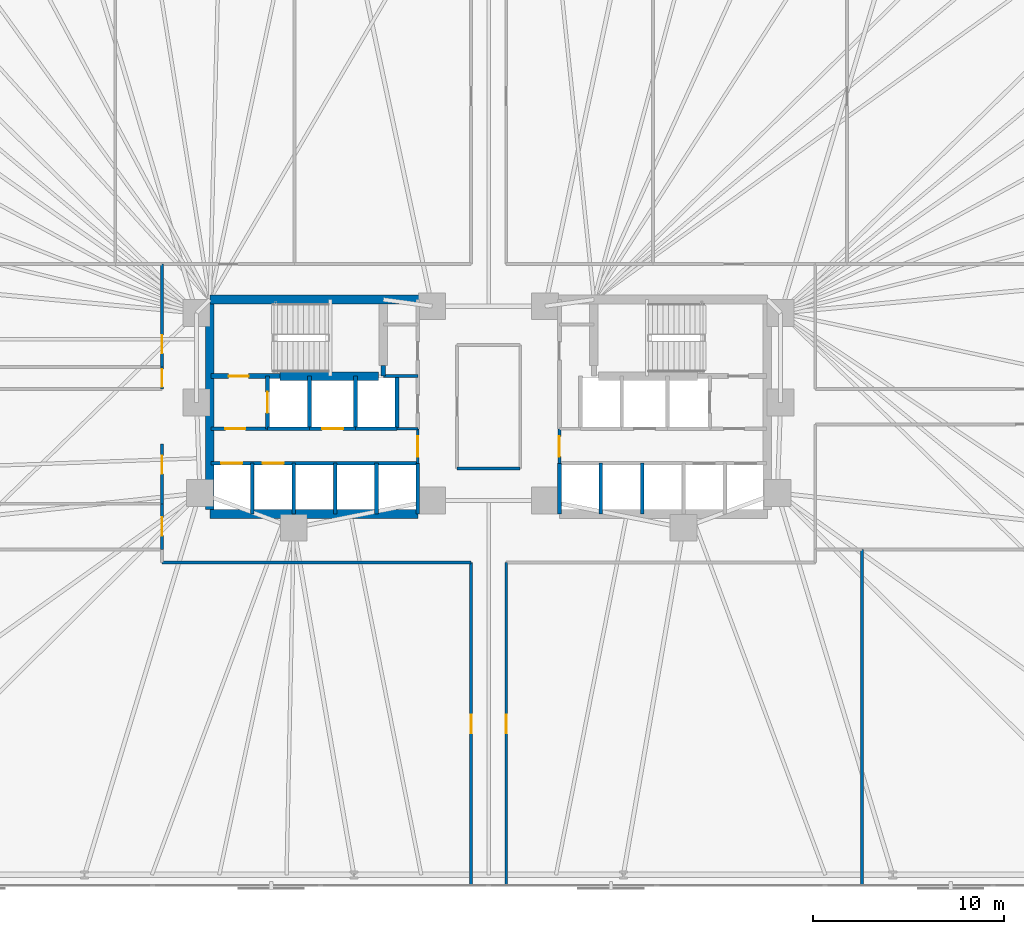
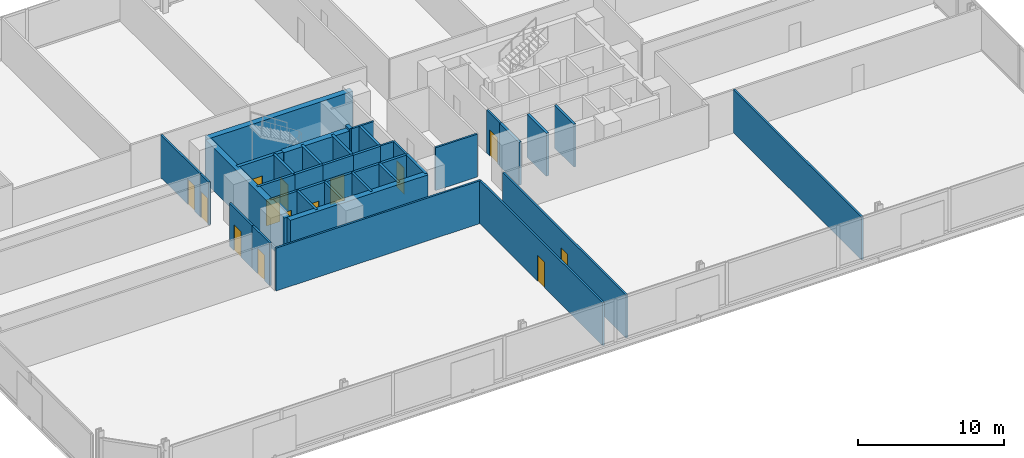
# One storey, part 12 of 16: 36 walls, 14 doors, 14 openings.
"""IFC4 building model written with IfcOpenShell, lengths in metres."""

from ifc_helpers import new_model, si_unit, direction, frame, frame_2d, origin, place, context, subcontext, project, spatial, rectangle, extrude, material, layer, layer_set, type_object, element, fill, save


model = new_model("IFC4")

# Units and contexts
model_context = context("Model", 3, precision=1e-05, world=origin(), true_north=direction((0.0, 1.0)))
body_context = subcontext(model_context, "Body", "Model", "MODEL_VIEW")
ifc_project = project(units=[si_unit("LENGTHUNIT", "METRE"), si_unit("AREAUNIT", "SQUARE_METRE"), si_unit("VOLUMEUNIT", "CUBIC_METRE"), si_unit("PLANEANGLEUNIT", "RADIAN"), si_unit("MASSUNIT", "GRAM", prefix="KILO")], contexts=[model_context])

# Site, building, storey
site_placement = place(None, origin())
site = spatial("IfcSite", under=ifc_project, at=site_placement, CompositionType="ELEMENT")
building_placement = place(site_placement, origin())
building = spatial("IfcBuilding", under=site, at=building_placement, Name="Menara Jurai Vektor", CompositionType="ELEMENT")
storey_placement = place(building_placement, frame((0.0, 0.0, 59.800048828125)))
storey = spatial("IfcBuildingStorey", under=building, at=storey_placement, Name="L14", CompositionType="ELEMENT", Elevation=59.800048828125)

# Wall, opening, door
ifc_material_1 = material(Name="Concrete C40/50", Category="concrete")
ifc_layer_1 = layer(ifc_material_1, 0.25)
ifc_layer_set_1 = layer_set([ifc_layer_1], Name="Concrete C40/50")
wall_type_1 = type_object("IfcWallType", Name="INT-WALL-CORE-250", PredefinedType="STANDARD", material=ifc_layer_set_1)
wall_1_placement = place(storey_placement, frame((-14.5, 1.60009765625, 0.0), z_axis=(0.0, 0.0, 1.0), x_axis=(1.0, 0.0, 0.0)))
wall_1 = element("IfcWall", 1, at=wall_1_placement, inside=storey, type_object=wall_type_1, Name="Interior Wall IW-250 L14", PredefinedType="STANDARD", context=body_context, shape_type="SweptSolid", body=[
    extrude(rectangle(XDim=3.60009765625, YDim=0.25, at=frame_2d((1.800048828125, 0.0))), origin(), (0.0, 0.0, 1.0), 3.574951171875),
])
opening_1_placement = place(wall_1_placement, frame((0.919921875, 0.0, 0.0)))
opening_1 = element("IfcOpeningElement", 2, at=opening_1_placement, cuts=wall_1, Name="Opening D-L14-ST1", PredefinedType="OPENING", context=body_context, shape_type="SweptSolid", body=[
    extrude(rectangle(XDim=1.050048828125, YDim=2.14990234375, at=frame_2d((0.52490234375, 1.074951171875))), frame((0.0, 0.135009765625, 0.0), z_axis=(0.0, -1.0, 0.0), x_axis=(1.0, 0.0, 0.0)), (0.0, 0.0, 1.0), 0.27001953125),
])
ifc_material_2 = material(Name="Fire-Rated Steel Door", Category="steel")
door_type_1 = type_object("IfcDoorType", Name="DR-STAIR-1050", OperationType="NOTDEFINED", PredefinedType="DOOR", material=ifc_material_2)
door_1_placement = place(opening_1_placement, origin())
door_1 = element("IfcDoor", 3, at=door_1_placement, inside=storey, type_object=door_type_1, Name="Exit Stair ST1 Door L14", OperationType="SINGLE_SWING_RIGHT", OverallHeight=2.14990234375, OverallWidth=1.050048828125, PredefinedType="DOOR", context=body_context, shape_type="SweptSolid", body=[
    extrude(rectangle(XDim=1.050048828125, YDim=2.14990234375, at=frame_2d((0.52490234375, 1.074951171875))), frame((0.0, 0.02490234375, 0.0), z_axis=(0.0, -1.0, 0.0), x_axis=(1.0, 0.0, 0.0)), (0.0, 0.0, 1.0), 0.050048828125),
])
fill(opening_1, door_1)

# Wall
wall_2_placement = place(storey_placement, frame((-5.5, 1.60009765625, 0.0), z_axis=(0.0, 0.0, 1.0), x_axis=(0.0, 1.0, 0.0)))
element("IfcWall", 4, at=wall_2_placement, inside=storey, type_object=wall_type_1, Name="Interior Wall IW-250 L14", PredefinedType="STANDARD", context=body_context, shape_type="SweptSolid", body=[
    extrude(rectangle(XDim=0.5498046875, YDim=0.25, at=frame_2d((0.27490234375, 0.0))), origin(), (0.0, 0.0, 1.0), 3.574951171875),
])

# Wall, opening, door
wall_3_placement = place(storey_placement, frame((-11.550048828125, -1.14990234375, 0.0), z_axis=(0.0, 0.0, 1.0), x_axis=(0.0, 1.0, 0.0)))
wall_3 = element("IfcWall", 5, at=wall_3_placement, inside=storey, type_object=wall_type_1, Name="Interior Wall IW-250 L14", PredefinedType="STANDARD", context=body_context, shape_type="SweptSolid", body=[
    extrude(rectangle(XDim=2.75, YDim=0.199951171875, at=frame_2d((1.375, 0.0))), origin(), (0.0, 0.0, 1.0), 3.574951171875),
])
opening_2_placement = place(wall_3_placement, frame((0.824951171875, 0.0, 0.0)))
opening_2 = element("IfcOpeningElement", 6, at=opening_2_placement, cuts=wall_3, Name="Opening LD-L14-FL1", PredefinedType="OPENING", context=body_context, shape_type="SweptSolid", body=[
    extrude(rectangle(XDim=1.10009765625, YDim=2.14990234375, at=frame_2d((0.550048828125, 1.074951171875))), frame((0.0, 0.10986328125, 0.0), z_axis=(0.0, -1.0, 0.0), x_axis=(1.0, 0.0, 0.0)), (0.0, 0.0, 1.0), 0.219970703125),
])
ifc_material_3 = material(Name="Stainless Steel Sliding Lift Landing Door", Category="steel")
door_type_2 = type_object("IfcDoorType", Name="DR-LIFT-FIRE-1100", OperationType="NOTDEFINED", PredefinedType="DOOR", material=ifc_material_3)
door_2_placement = place(opening_2_placement, origin())
door_2 = element("IfcDoor", 7, at=door_2_placement, inside=storey, type_object=door_type_2, Name="Lift Landing Door FL1 L14", OperationType="SLIDING_TO_RIGHT", OverallHeight=2.14990234375, OverallWidth=1.10009765625, PredefinedType="DOOR", context=body_context, shape_type="SweptSolid", body=[
    extrude(rectangle(XDim=1.10009765625, YDim=2.14990234375, at=frame_2d((0.550048828125, 1.074951171875))), frame((0.0, 0.02490234375, 0.0), z_axis=(0.0, -1.0, 0.0), x_axis=(1.0, 0.0, 0.0)), (0.0, 0.0, 1.0), 0.050048828125),
])
fill(opening_2, door_2)

# Wall
wall_4_placement = place(storey_placement, frame((-9.35009765625, -1.14990234375, 0.0), z_axis=(0.0, 0.0, 1.0), x_axis=(0.0, 1.0, 0.0)))
element("IfcWall", 8, at=wall_4_placement, inside=storey, type_object=wall_type_1, Name="Interior Wall IW-250 L14", PredefinedType="STANDARD", context=body_context, shape_type="SweptSolid", body=[
    extrude(rectangle(XDim=2.75, YDim=0.199951171875, at=frame_2d((1.375, 0.0))), origin(), (0.0, 0.0, 1.0), 3.574951171875),
])

# Wall, opening, door
wall_5_placement = place(storey_placement, frame((-14.5, -1.14990234375, 0.0), z_axis=(0.0, 0.0, 1.0), x_axis=(1.0, 0.0, 0.0)))
wall_5 = element("IfcWall", 9, at=wall_5_placement, inside=storey, type_object=wall_type_1, Name="Interior Wall IW-250 L14", PredefinedType="STANDARD", context=body_context, shape_type="SweptSolid", body=[
    extrude(rectangle(XDim=2.949951171875, YDim=0.199951171875, at=frame_2d((1.47509765625, 0.0))), origin(), (0.0, 0.0, 1.0), 3.574951171875),
])
opening_3_placement = place(wall_5_placement, frame((0.75, 0.0, 0.0)))
opening_3 = element("IfcOpeningElement", 10, at=opening_3_placement, cuts=wall_5, Name="Opening D-L14-FFW", PredefinedType="OPENING", context=body_context, shape_type="SweptSolid", body=[
    extrude(rectangle(XDim=1.050048828125, YDim=2.179931640625, at=frame_2d((0.52490234375, 1.08984375))), frame((0.0, 0.10986328125, 0.0), z_axis=(0.0, -1.0, 0.0), x_axis=(1.0, 0.0, 0.0)), (0.0, 0.0, 1.0), 0.219970703125),
])
ifc_material_4 = material(Name="Fire-Rated Timber Door", Category="wood")
door_type_3 = type_object("IfcDoorType", Name="DR-LOBBY-1050", OperationType="NOTDEFINED", PredefinedType="DOOR", material=ifc_material_4)
door_3_placement = place(opening_3_placement, origin())
door_3 = element("IfcDoor", 11, at=door_3_placement, inside=storey, type_object=door_type_3, Name="Fire Lift Lobby Door W L14", OperationType="SINGLE_SWING_RIGHT", OverallHeight=2.179931640625, OverallWidth=1.050048828125, PredefinedType="DOOR", context=body_context, shape_type="SweptSolid", body=[
    extrude(rectangle(XDim=1.050048828125, YDim=2.179931640625, at=frame_2d((0.52490234375, 1.08984375))), frame((0.0, 0.02490234375, 0.0), z_axis=(0.0, -1.0, 0.0), x_axis=(1.0, 0.0, 0.0)), (0.0, 0.0, 1.0), 0.050048828125),
])
fill(opening_3, door_3)

# Wall
wall_6_placement = place(storey_placement, frame((-11.550048828125, -1.14990234375, 0.0), z_axis=(0.0, 0.0, 1.0), x_axis=(1.0, 0.0, 0.0)))
element("IfcWall", 12, at=wall_6_placement, inside=storey, type_object=wall_type_1, Name="Interior Wall IW-250 L14", PredefinedType="STANDARD", context=body_context, shape_type="SweptSolid", body=[
    extrude(rectangle(XDim=2.199951171875, YDim=0.199951171875, at=frame_2d((1.10009765625, 0.0))), origin(), (0.0, 0.0, 1.0), 3.574951171875),
])

# Wall, opening, door
ifc_material_5 = material(Name="Gypsum Fireboard Partition", Category="gypsum")
ifc_layer_2 = layer(ifc_material_5, 0.14990234375)
ifc_layer_set_2 = layer_set([ifc_layer_2], Name="Gypsum Fireboard Partition")
wall_type_2 = type_object("IfcWallType", Name="INT-WALL-CORR-150", PredefinedType="PARTITIONING", material=ifc_layer_set_2)
wall_7_placement = place(storey_placement, frame((-3.699951171875, -2.949951171875, 0.0), z_axis=(0.0, 0.0, 1.0), x_axis=(0.0, 1.0, 0.0)))
wall_7 = element("IfcWall", 13, at=wall_7_placement, inside=storey, type_object=wall_type_2, Name="Interior Wall IW-150 L14", PredefinedType="PARTITIONING", context=body_context, shape_type="SweptSolid", body=[
    extrude(rectangle(XDim=1.800048828125, YDim=0.14990234375, at=frame_2d((0.89990234375, 0.0))), origin(), (0.0, 0.0, 1.0), 3.574951171875),
])
opening_4_placement = place(wall_7_placement, frame((0.35009765625, 0.0, 0.0)))
opening_4 = element("IfcOpeningElement", 14, at=opening_4_placement, cuts=wall_7, Name="Opening D-L14-LLW", PredefinedType="OPENING", context=body_context, shape_type="SweptSolid", body=[
    extrude(rectangle(XDim=1.050048828125, YDim=2.179931640625, at=frame_2d((0.52490234375, 1.08984375))), frame((0.0, 0.0849609375, 0.0), z_axis=(0.0, -1.0, 0.0), x_axis=(1.0, 0.0, 0.0)), (0.0, 0.0, 1.0), 0.169921875),
])
door_4_placement = place(opening_4_placement, origin())
door_4 = element("IfcDoor", 15, at=door_4_placement, inside=storey, type_object=door_type_3, Name="Lift Lobby Corridor Door W L14", OperationType="SINGLE_SWING_LEFT", OverallHeight=2.179931640625, OverallWidth=1.050048828125, PredefinedType="DOOR", context=body_context, shape_type="SweptSolid", body=[
    extrude(rectangle(XDim=1.050048828125, YDim=2.179931640625, at=frame_2d((0.52490234375, 1.08984375))), frame((0.0, 0.02490234375, 0.0), z_axis=(0.0, -1.0, 0.0), x_axis=(1.0, 0.0, 0.0)), (0.0, 0.0, 1.0), 0.050048828125),
])
fill(opening_4, door_4)

# Wall
wall_8_placement = place(storey_placement, frame((-4.7900390625, -1.14990234375, 0.0), z_axis=(0.0, 0.0, 1.0), x_axis=(1.0, 0.0, 0.0)))
element("IfcWall", 16, at=wall_8_placement, inside=storey, type_object=wall_type_2, Name="Interior Wall IW-150 L14", PredefinedType="PARTITIONING", context=body_context, shape_type="SweptSolid", body=[
    extrude(rectangle(XDim=1.090087890625, YDim=0.14990234375, at=frame_2d((0.544921875, 0.0))), origin(), (0.0, 0.0, 1.0), 3.574951171875),
])

# Wall, opening, door
wall_9_placement = place(storey_placement, frame((3.699951171875, -2.949951171875, 0.0), z_axis=(0.0, 0.0, 1.0), x_axis=(0.0, 1.0, 0.0)))
wall_9 = element("IfcWall", 17, at=wall_9_placement, inside=storey, type_object=wall_type_2, Name="Interior Wall IW-150 L14", PredefinedType="PARTITIONING", context=body_context, shape_type="SweptSolid", body=[
    extrude(rectangle(XDim=1.800048828125, YDim=0.14990234375, at=frame_2d((0.89990234375, 0.0))), origin(), (0.0, 0.0, 1.0), 3.574951171875),
])
opening_5_placement = place(wall_9_placement, frame((0.35009765625, 0.0, 0.0)))
opening_5 = element("IfcOpeningElement", 18, at=opening_5_placement, cuts=wall_9, Name="Opening D-L14-LLE", PredefinedType="OPENING", context=body_context, shape_type="SweptSolid", body=[
    extrude(rectangle(XDim=1.050048828125, YDim=2.179931640625, at=frame_2d((0.52490234375, 1.08984375))), frame((0.0, 0.0849609375, 0.0), z_axis=(0.0, -1.0, 0.0), x_axis=(1.0, 0.0, 0.0)), (0.0, 0.0, 1.0), 0.169921875),
])
door_5_placement = place(opening_5_placement, frame((1.050048828125, 0.0, 0.0), z_axis=(0.0, 0.0, 1.0), x_axis=(-1.0, 0.0, 0.0)))
door_5 = element("IfcDoor", 19, at=door_5_placement, inside=storey, type_object=door_type_3, Name="Lift Lobby Corridor Door E L14", OperationType="SINGLE_SWING_RIGHT", OverallHeight=2.179931640625, OverallWidth=1.050048828125, PredefinedType="DOOR", context=body_context, shape_type="SweptSolid", body=[
    extrude(rectangle(XDim=1.050048828125, YDim=2.179931640625, at=frame_2d((0.52490234375, 1.08984375))), frame((0.0, 0.02490234375, 0.0), z_axis=(0.0, -1.0, 0.0), x_axis=(1.0, 0.0, 0.0)), (0.0, 0.0, 1.0), 0.050048828125),
])
fill(opening_5, door_5)

# Walls
wall_10_placement = place(storey_placement, frame((-5.5, 1.60009765625, 0.0), z_axis=(0.0, 0.0, 1.0), x_axis=(1.0, 0.0, 0.0)))
element("IfcWall", 20, at=wall_10_placement, inside=storey, type_object=wall_type_2, Name="Interior Wall IW-150 L14", PredefinedType="PARTITIONING", context=body_context, shape_type="SweptSolid", body=[
    extrude(rectangle(XDim=1.800048828125, YDim=0.14990234375, at=frame_2d((0.89990234375, 0.0))), origin(), (0.0, 0.0, 1.0), 3.574951171875),
])
wall_11_placement = place(storey_placement, frame((-1.64990234375, -3.22998046875, 0.0), z_axis=(0.0, 0.0, 1.0), x_axis=(1.0, 0.0, 0.0)))
element("IfcWall", 21, at=wall_11_placement, inside=storey, type_object=wall_type_2, Name="Interior Wall IW-150 L14", PredefinedType="PARTITIONING", context=body_context, shape_type="SweptSolid", body=[
    extrude(rectangle(XDim=3.2998046875, YDim=0.14990234375, at=frame_2d((1.64990234375, 0.0))), origin(), (0.0, 0.0, 1.0), 3.574951171875),
])

# Wall, opening, door
wall_12_placement = place(storey_placement, frame((0.919921875, -25.0, 0.0), z_axis=(0.0, 0.0, 1.0), x_axis=(0.0, 1.0, 0.0)))
wall_12 = element("IfcWall", 22, at=wall_12_placement, inside=storey, type_object=wall_type_2, Name="Interior Wall IW-150 L14", PredefinedType="PARTITIONING", context=body_context, shape_type="SweptSolid", body=[
    extrude(rectangle(XDim=16.8701171875, YDim=0.14990234375, at=frame_2d((8.43505859375, 0.0))), origin(), (0.0, 0.0, 1.0), 3.574951171875),
])
opening_6_placement = place(wall_12_placement, frame((7.9599609375, 0.0, 0.0)))
opening_6 = element("IfcOpeningElement", 23, at=opening_6_placement, cuts=wall_12, Name="Opening D14-09", PredefinedType="OPENING", context=body_context, shape_type="SweptSolid", body=[
    extrude(rectangle(XDim=0.949951171875, YDim=2.14990234375, at=frame_2d((0.47509765625, 1.074951171875))), frame((0.0, 0.0849609375, 0.0), z_axis=(0.0, -1.0, 0.0), x_axis=(1.0, 0.0, 0.0)), (0.0, 0.0, 1.0), 0.169921875),
])
ifc_material_6 = material(Name="Solid Core Timber Fire Door", Category="wood")
door_type_4 = type_object("IfcDoorType", Name="DR-ENTRY-950", OperationType="NOTDEFINED", PredefinedType="DOOR", material=ifc_material_6)
door_6_placement = place(opening_6_placement, origin())
door_6 = element("IfcDoor", 24, at=door_6_placement, inside=storey, type_object=door_type_4, Name="Interior Door D14-09", OperationType="SINGLE_SWING_RIGHT", OverallHeight=2.14990234375, OverallWidth=0.949951171875, PredefinedType="DOOR", context=body_context, shape_type="SweptSolid", body=[
    extrude(rectangle(XDim=0.949951171875, YDim=2.14990234375, at=frame_2d((0.47509765625, 1.074951171875))), frame((0.0, 0.02490234375, 0.0), z_axis=(0.0, -1.0, 0.0), x_axis=(1.0, 0.0, 0.0)), (0.0, 0.0, 1.0), 0.050048828125),
])
fill(opening_6, door_6)

# Wall
wall_13_placement = place(storey_placement, frame((-17.05908203125, -8.1298828125, 0.0), z_axis=(0.0, 0.0, 1.0), x_axis=(1.0, 0.0, 0.0)))
element("IfcWall", 25, at=wall_13_placement, inside=storey, type_object=wall_type_2, Name="Interior Wall IW-150 L14", PredefinedType="PARTITIONING", context=body_context, shape_type="SweptSolid", body=[
    extrude(rectangle(XDim=16.13916015625, YDim=0.14990234375, at=frame_2d((8.069580078125, 0.0))), origin(), (0.0, 0.0, 1.0), 3.574951171875),
])

# Wall, opening, door
wall_14_placement = place(storey_placement, frame((-0.919921875, -25.0, 0.0), z_axis=(0.0, 0.0, 1.0), x_axis=(0.0, 1.0, 0.0)))
wall_14 = element("IfcWall", 26, at=wall_14_placement, inside=storey, type_object=wall_type_2, Name="Interior Wall IW-150 L14", PredefinedType="PARTITIONING", context=body_context, shape_type="SweptSolid", body=[
    extrude(rectangle(XDim=16.8701171875, YDim=0.14990234375, at=frame_2d((8.43505859375, 0.0))), origin(), (0.0, 0.0, 1.0), 3.574951171875),
])
opening_7_placement = place(wall_14_placement, frame((7.9599609375, 0.0, 0.0)))
opening_7 = element("IfcOpeningElement", 27, at=opening_7_placement, cuts=wall_14, Name="Opening D14-10", PredefinedType="OPENING", context=body_context, shape_type="SweptSolid", body=[
    extrude(rectangle(XDim=0.949951171875, YDim=2.14990234375, at=frame_2d((0.47509765625, 1.074951171875))), frame((0.0, 0.0849609375, 0.0), z_axis=(0.0, -1.0, 0.0), x_axis=(1.0, 0.0, 0.0)), (0.0, 0.0, 1.0), 0.169921875),
])
door_7_placement = place(opening_7_placement, origin())
door_7 = element("IfcDoor", 28, at=door_7_placement, inside=storey, type_object=door_type_4, Name="Interior Door D14-10", OperationType="SINGLE_SWING_LEFT", OverallHeight=2.14990234375, OverallWidth=0.949951171875, PredefinedType="DOOR", context=body_context, shape_type="SweptSolid", body=[
    extrude(rectangle(XDim=0.949951171875, YDim=2.14990234375, at=frame_2d((0.47509765625, 1.074951171875))), frame((0.0, 0.02490234375, 0.0), z_axis=(0.0, -1.0, 0.0), x_axis=(1.0, 0.0, 0.0)), (0.0, 0.0, 1.0), 0.050048828125),
])
fill(opening_7, door_7)

wall_15_placement = place(storey_placement, frame((-17.05908203125, -7.449951171875, 0.0), z_axis=(0.0, 0.0, 1.0), x_axis=(0.0, 1.0, 0.0)))
wall_15 = element("IfcWall", 29, at=wall_15_placement, inside=storey, type_object=wall_type_2, Name="Interior Wall IW-150 L14", PredefinedType="PARTITIONING", context=body_context, shape_type="SweptSolid", body=[
    extrude(rectangle(XDim=2.384033203125, YDim=0.14990234375, at=frame_2d((1.19189453125, 0.0))), origin(), (0.0, 0.0, 1.0), 3.574951171875),
])
opening_8_placement = place(wall_15_placement, frame((0.717041015625, 0.0, 0.0)))
opening_8 = element("IfcOpeningElement", 30, at=opening_8_placement, cuts=wall_15, Name="Opening D14-11", PredefinedType="OPENING", context=body_context, shape_type="SweptSolid", body=[
    extrude(rectangle(XDim=0.949951171875, YDim=2.14990234375, at=frame_2d((0.47509765625, 1.074951171875))), frame((0.0, 0.0849609375, 0.0), z_axis=(0.0, -1.0, 0.0), x_axis=(1.0, 0.0, 0.0)), (0.0, 0.0, 1.0), 0.169921875),
])
door_8_placement = place(opening_8_placement, origin())
door_8 = element("IfcDoor", 31, at=door_8_placement, inside=storey, type_object=door_type_4, Name="Interior Door D14-11", OperationType="SINGLE_SWING_RIGHT", OverallHeight=2.14990234375, OverallWidth=0.949951171875, PredefinedType="DOOR", context=body_context, shape_type="SweptSolid", body=[
    extrude(rectangle(XDim=0.949951171875, YDim=2.14990234375, at=frame_2d((0.47509765625, 1.074951171875))), frame((0.0, 0.02490234375, 0.0), z_axis=(0.0, -1.0, 0.0), x_axis=(1.0, 0.0, 0.0)), (0.0, 0.0, 1.0), 0.050048828125),
])
fill(opening_8, door_8)

wall_16_placement = place(storey_placement, frame((-17.05908203125, -5.06591796875, 0.0), z_axis=(0.0, 0.0, 1.0), x_axis=(0.0, 1.0, 0.0)))
wall_16 = element("IfcWall", 32, at=wall_16_placement, inside=storey, type_object=wall_type_2, Name="Interior Wall IW-150 L14", PredefinedType="PARTITIONING", context=body_context, shape_type="SweptSolid", body=[
    extrude(rectangle(XDim=3.12890625, YDim=0.14990234375, at=frame_2d((1.564453125, 0.0))), origin(), (0.0, 0.0, 1.0), 3.574951171875),
])
opening_9_placement = place(wall_16_placement, frame((1.558837890625, 0.0, 0.0)))
opening_9 = element("IfcOpeningElement", 33, at=opening_9_placement, cuts=wall_16, Name="Opening D14-12", PredefinedType="OPENING", context=body_context, shape_type="SweptSolid", body=[
    extrude(rectangle(XDim=0.949951171875, YDim=2.14990234375, at=frame_2d((0.47509765625, 1.074951171875))), frame((0.0, 0.0849609375, 0.0), z_axis=(0.0, -1.0, 0.0), x_axis=(1.0, 0.0, 0.0)), (0.0, 0.0, 1.0), 0.169921875),
])
door_9_placement = place(opening_9_placement, origin())
door_9 = element("IfcDoor", 34, at=door_9_placement, inside=storey, type_object=door_type_4, Name="Interior Door D14-12", OperationType="SINGLE_SWING_LEFT", OverallHeight=2.14990234375, OverallWidth=0.949951171875, PredefinedType="DOOR", context=body_context, shape_type="SweptSolid", body=[
    extrude(rectangle(XDim=0.949951171875, YDim=2.14990234375, at=frame_2d((0.47509765625, 1.074951171875))), frame((0.0, 0.02490234375, 0.0), z_axis=(0.0, -1.0, 0.0), x_axis=(1.0, 0.0, 0.0)), (0.0, 0.0, 1.0), 0.050048828125),
])
fill(opening_9, door_9)

wall_17_placement = place(storey_placement, frame((-17.05908203125, 0.919921875, 0.0), z_axis=(0.0, 0.0, 1.0), x_axis=(0.0, 1.0, 0.0)))
wall_17 = element("IfcWall", 35, at=wall_17_placement, inside=storey, type_object=wall_type_2, Name="Interior Wall IW-150 L14", PredefinedType="PARTITIONING", context=body_context, shape_type="SweptSolid", body=[
    extrude(rectangle(XDim=1.166015625, YDim=0.14990234375, at=frame_2d((0.5830078125, 0.0))), origin(), (0.0, 0.0, 1.0), 3.574951171875),
])
opening_10_placement = place(wall_17_placement, frame((0.1201171875, 0.0, 0.0)))
opening_10 = element("IfcOpeningElement", 36, at=opening_10_placement, cuts=wall_17, Name="Opening D14-13", PredefinedType="OPENING", context=body_context, shape_type="SweptSolid", body=[
    extrude(rectangle(XDim=0.926025390625, YDim=2.14990234375, at=frame_2d((0.462890625, 1.074951171875))), frame((0.0, 0.0849609375, 0.0), z_axis=(0.0, -1.0, 0.0), x_axis=(1.0, 0.0, 0.0)), (0.0, 0.0, 1.0), 0.169921875),
])
door_10_placement = place(opening_10_placement, origin())
door_10 = element("IfcDoor", 37, at=door_10_placement, inside=storey, type_object=door_type_4, Name="Interior Door D14-13", OperationType="SINGLE_SWING_RIGHT", OverallHeight=2.14990234375, OverallWidth=0.926025390625, PredefinedType="DOOR", context=body_context, shape_type="SweptSolid", body=[
    extrude(rectangle(XDim=0.926025390625, YDim=2.14990234375, at=frame_2d((0.462890625, 1.074951171875))), frame((0.0, 0.02490234375, 0.0), z_axis=(0.0, -1.0, 0.0), x_axis=(1.0, 0.0, 0.0)), (0.0, 0.0, 1.0), 0.050048828125),
])
fill(opening_10, door_10)

wall_18_placement = place(storey_placement, frame((-17.05908203125, 2.0859375, 0.0), z_axis=(0.0, 0.0, 1.0), x_axis=(0.0, 1.0, 0.0)))
wall_18 = element("IfcWall", 38, at=wall_18_placement, inside=storey, type_object=wall_type_2, Name="Interior Wall IW-150 L14", PredefinedType="PARTITIONING", context=body_context, shape_type="SweptSolid", body=[
    extrude(rectangle(XDim=5.364013671875, YDim=0.14990234375, at=frame_2d((2.68212890625, 0.0))), origin(), (0.0, 0.0, 1.0), 3.574951171875),
])
opening_11_placement = place(wall_18_placement, frame((0.705078125, 0.0, 0.0)))
opening_11 = element("IfcOpeningElement", 39, at=opening_11_placement, cuts=wall_18, Name="Opening D14-14", PredefinedType="OPENING", context=body_context, shape_type="SweptSolid", body=[
    extrude(rectangle(XDim=0.949951171875, YDim=2.14990234375, at=frame_2d((0.47509765625, 1.074951171875))), frame((0.0, 0.0849609375, 0.0), z_axis=(0.0, -1.0, 0.0), x_axis=(1.0, 0.0, 0.0)), (0.0, 0.0, 1.0), 0.169921875),
])
door_11_placement = place(opening_11_placement, origin())
door_11 = element("IfcDoor", 40, at=door_11_placement, inside=storey, type_object=door_type_4, Name="Interior Door D14-14", OperationType="SINGLE_SWING_LEFT", OverallHeight=2.14990234375, OverallWidth=0.949951171875, PredefinedType="DOOR", context=body_context, shape_type="SweptSolid", body=[
    extrude(rectangle(XDim=0.949951171875, YDim=2.14990234375, at=frame_2d((0.47509765625, 1.074951171875))), frame((0.0, 0.02490234375, 0.0), z_axis=(0.0, -1.0, 0.0), x_axis=(1.0, 0.0, 0.0)), (0.0, 0.0, 1.0), 0.050048828125),
])
fill(opening_11, door_11)

# Walls
wall_19_placement = place(storey_placement, frame((19.5, -25.0, 0.0), z_axis=(0.0, 0.0, 1.0), x_axis=(0.0, 1.0, 0.0)))
element("IfcWall", 41, at=wall_19_placement, inside=storey, type_object=wall_type_2, Name="Interior Wall IW-150 L14", PredefinedType="PARTITIONING", context=body_context, shape_type="SweptSolid", body=[
    extrude(rectangle(XDim=17.550048828125, YDim=0.14990234375, at=frame_2d((8.77490234375, 0.0))), origin(), (0.0, 0.0, 1.0), 3.574951171875),
])
ifc_layer_3 = layer(ifc_material_1, 0.199951171875)
ifc_layer_set_3 = layer_set([ifc_layer_3], Name="Concrete C40/50")
wall_type_3 = type_object("IfcWallType", Name="INT-WALL-SHAFT-200", PredefinedType="STANDARD", material=ifc_layer_set_3)
wall_20_placement = place(storey_placement, frame((-3.699951171875, -5.60009765625, 0.0), z_axis=(0.0, 0.0, 1.0), x_axis=(0.0, 1.0, 0.0)))
element("IfcWall", 42, at=wall_20_placement, inside=storey, type_object=wall_type_3, Name="Interior Wall IW-200 L14", PredefinedType="STANDARD", context=body_context, shape_type="SweptSolid", body=[
    extrude(rectangle(XDim=2.650146484375, YDim=0.199951171875, at=frame_2d((1.3251953125, 0.0))), origin(), (0.0, 0.0, 1.0), 3.574951171875),
])
wall_21_placement = place(storey_placement, frame((-6.949951171875, -1.14990234375, 0.0), z_axis=(0.0, 0.0, 1.0), x_axis=(0.0, 1.0, 0.0)))
element("IfcWall", 43, at=wall_21_placement, inside=storey, type_object=wall_type_3, Name="Interior Wall IW-200 L14", PredefinedType="STANDARD", context=body_context, shape_type="SweptSolid", body=[
    extrude(rectangle(XDim=2.75, YDim=0.199951171875, at=frame_2d((1.375, 0.0))), origin(), (0.0, 0.0, 1.0), 3.574951171875),
])

# Wall, opening, door
wall_22_placement = place(storey_placement, frame((-9.35009765625, -1.14990234375, 0.0), z_axis=(0.0, 0.0, 1.0), x_axis=(1.0, 0.0, 0.0)))
wall_22 = element("IfcWall", 44, at=wall_22_placement, inside=storey, type_object=wall_type_3, Name="Interior Wall IW-200 L14", PredefinedType="STANDARD", context=body_context, shape_type="SweptSolid", body=[
    extrude(rectangle(XDim=2.400146484375, YDim=0.199951171875, at=frame_2d((1.2001953125, 0.0))), origin(), (0.0, 0.0, 1.0), 3.574951171875),
])
opening_12_placement = place(wall_22_placement, frame((0.64990234375, 0.0, 0.0)))
opening_12 = element("IfcOpeningElement", 45, at=opening_12_placement, cuts=wall_22, Name="Opening LD-L14-SVL1", PredefinedType="OPENING", context=body_context, shape_type="SweptSolid", body=[
    extrude(rectangle(XDim=1.10009765625, YDim=2.14990234375, at=frame_2d((0.550048828125, 1.074951171875))), frame((0.0, 0.10986328125, 0.0), z_axis=(0.0, -1.0, 0.0), x_axis=(1.0, 0.0, 0.0)), (0.0, 0.0, 1.0), 0.219970703125),
])
ifc_material_7 = material(Name="Anodised Stainless Sliding Lift Landing Door", Category="steel")
door_type_5 = type_object("IfcDoorType", Name="DR-LIFT-PASS-1100", OperationType="NOTDEFINED", PredefinedType="DOOR", material=ifc_material_7)
door_12_placement = place(opening_12_placement, origin())
door_12 = element("IfcDoor", 46, at=door_12_placement, inside=storey, type_object=door_type_5, Name="Lift Landing Door SVL1 L14", OperationType="SLIDING_TO_RIGHT", OverallHeight=2.14990234375, OverallWidth=1.10009765625, PredefinedType="DOOR", context=body_context, shape_type="SweptSolid", body=[
    extrude(rectangle(XDim=1.10009765625, YDim=2.14990234375, at=frame_2d((0.550048828125, 1.074951171875))), frame((0.0, 0.02490234375, 0.0), z_axis=(0.0, -1.0, 0.0), x_axis=(1.0, 0.0, 0.0)), (0.0, 0.0, 1.0), 0.050048828125),
])
fill(opening_12, door_12)

# Walls
wall_23_placement = place(storey_placement, frame((-4.7900390625, -1.14990234375, 0.0), z_axis=(0.0, 0.0, 1.0), x_axis=(0.0, 1.0, 0.0)))
element("IfcWall", 47, at=wall_23_placement, inside=storey, type_object=wall_type_3, Name="Interior Wall IW-200 L14", PredefinedType="STANDARD", context=body_context, shape_type="SweptSolid", body=[
    extrude(rectangle(XDim=2.75, YDim=0.199951171875, at=frame_2d((1.375, 0.0))), origin(), (0.0, 0.0, 1.0), 3.574951171875),
])
wall_24_placement = place(storey_placement, frame((-6.949951171875, -1.14990234375, 0.0), z_axis=(0.0, 0.0, 1.0), x_axis=(1.0, 0.0, 0.0)))
element("IfcWall", 48, at=wall_24_placement, inside=storey, type_object=wall_type_3, Name="Interior Wall IW-200 L14", PredefinedType="STANDARD", context=body_context, shape_type="SweptSolid", body=[
    extrude(rectangle(XDim=2.159912109375, YDim=0.199951171875, at=frame_2d((1.080078125, 0.0))), origin(), (0.0, 0.0, 1.0), 3.574951171875),
])

# Wall, openings, doors
wall_25_placement = place(storey_placement, frame((-14.5, -2.949951171875, 0.0), z_axis=(0.0, 0.0, 1.0), x_axis=(1.0, 0.0, 0.0)))
wall_25 = element("IfcWall", 49, at=wall_25_placement, inside=storey, type_object=wall_type_3, Name="Interior Wall IW-200 L14", PredefinedType="STANDARD", context=body_context, shape_type="SweptSolid", body=[
    extrude(rectangle(XDim=10.800048828125, YDim=0.199951171875, at=frame_2d((5.39990234375, 0.0))), origin(), (0.0, 0.0, 1.0), 3.574951171875),
])
opening_13_placement = place(wall_25_placement, frame((0.530029296875, 0.0, 0.0)))
opening_13 = element("IfcOpeningElement", 50, at=opening_13_placement, cuts=wall_25, Name="Opening LD-L14-PL1", PredefinedType="OPENING", context=body_context, shape_type="SweptSolid", body=[
    extrude(rectangle(XDim=1.10009765625, YDim=2.14990234375, at=frame_2d((0.550048828125, 1.074951171875))), frame((0.0, 0.10986328125, 0.0), z_axis=(0.0, -1.0, 0.0), x_axis=(1.0, 0.0, 0.0)), (0.0, 0.0, 1.0), 0.219970703125),
])
opening_14_placement = place(wall_25_placement, frame((2.68994140625, 0.0, 0.0)))
opening_14 = element("IfcOpeningElement", 51, at=opening_14_placement, cuts=wall_25, Name="Opening LD-L14-PL2", PredefinedType="OPENING", context=body_context, shape_type="SweptSolid", body=[
    extrude(rectangle(XDim=1.10009765625, YDim=2.14990234375, at=frame_2d((0.550048828125, 1.074951171875))), frame((0.0, 0.10986328125, 0.0), z_axis=(0.0, -1.0, 0.0), x_axis=(1.0, 0.0, 0.0)), (0.0, 0.0, 1.0), 0.219970703125),
])
door_13_placement = place(opening_13_placement, origin())
door_13 = element("IfcDoor", 52, at=door_13_placement, inside=storey, type_object=door_type_5, Name="Lift Landing Door PL1 L14", OperationType="SLIDING_TO_RIGHT", OverallHeight=2.14990234375, OverallWidth=1.10009765625, PredefinedType="DOOR", context=body_context, shape_type="SweptSolid", body=[
    extrude(rectangle(XDim=1.10009765625, YDim=2.14990234375, at=frame_2d((0.550048828125, 1.074951171875))), frame((0.0, 0.02490234375, 0.0), z_axis=(0.0, -1.0, 0.0), x_axis=(1.0, 0.0, 0.0)), (0.0, 0.0, 1.0), 0.050048828125),
])
fill(opening_13, door_13)
door_14_placement = place(opening_14_placement, origin())
door_14 = element("IfcDoor", 53, at=door_14_placement, inside=storey, type_object=door_type_5, Name="Lift Landing Door PL2 L14", OperationType="SLIDING_TO_RIGHT", OverallHeight=2.14990234375, OverallWidth=1.10009765625, PredefinedType="DOOR", context=body_context, shape_type="SweptSolid", body=[
    extrude(rectangle(XDim=1.10009765625, YDim=2.14990234375, at=frame_2d((0.550048828125, 1.074951171875))), frame((0.0, 0.02490234375, 0.0), z_axis=(0.0, -1.0, 0.0), x_axis=(1.0, 0.0, 0.0)), (0.0, 0.0, 1.0), 0.050048828125),
])
fill(opening_14, door_14)

# Walls
wall_26_placement = place(storey_placement, frame((-5.860107421875, -5.60009765625, 0.0), z_axis=(0.0, 0.0, 1.0), x_axis=(0.0, 1.0, 0.0)))
element("IfcWall", 54, at=wall_26_placement, inside=storey, type_object=wall_type_3, Name="Interior Wall IW-200 L14", PredefinedType="STANDARD", context=body_context, shape_type="SweptSolid", body=[
    extrude(rectangle(XDim=2.650146484375, YDim=0.199951171875, at=frame_2d((1.3251953125, 0.0))), origin(), (0.0, 0.0, 1.0), 3.574951171875),
])
for number, where, z_axis, x_axis, name in (
    (55, (-12.340087890625, -5.60009765625, 0.0), (0.0, 0.0, 1.0), (0.0, 1.0, 0.0), "Interior Wall IW-200 L14"),
    (56, (-10.179931640625, -5.60009765625, 0.0), (0.0, 0.0, 1.0), (0.0, 1.0, 0.0), "Interior Wall IW-200 L14"),
    (57, (-8.02001953125, -5.60009765625, 0.0), (0.0, 0.0, 1.0), (0.0, 1.0, 0.0), "Interior Wall IW-200 L14"),
):
    element("IfcWall", number, at=place(storey_placement, frame(where, z_axis=z_axis, x_axis=x_axis)), inside=storey, type_object=wall_type_3, Name=name, PredefinedType="STANDARD", context=body_context, shape_type="SweptSolid", body=[
        extrude(rectangle(XDim=2.650146484375, YDim=0.179931640625, at=frame_2d((1.3251953125, 0.0))), origin(), (0.0, 0.0, 1.0), 3.574951171875),
    ])
for number, where, z_axis, x_axis, name in (
    (58, (3.699951171875, -5.60009765625, 0.0), (0.0, 0.0, 1.0), (0.0, 1.0, 0.0), "Interior Wall IW-200 L14"),
    (59, (5.860107421875, -5.60009765625, 0.0), (0.0, 0.0, 1.0), (0.0, 1.0, 0.0), "Interior Wall IW-200 L14"),
):
    element("IfcWall", number, at=place(storey_placement, frame(where, z_axis=z_axis, x_axis=x_axis)), inside=storey, type_object=wall_type_3, Name=name, PredefinedType="STANDARD", context=body_context, shape_type="SweptSolid", body=[
        extrude(rectangle(XDim=2.650146484375, YDim=0.199951171875, at=frame_2d((1.3251953125, 0.0))), origin(), (0.0, 0.0, 1.0), 3.574951171875),
    ])
wall_27_placement = place(storey_placement, frame((8.02001953125, -5.60009765625, 0.0), z_axis=(0.0, 0.0, 1.0), x_axis=(0.0, 1.0, 0.0)))
element("IfcWall", 60, at=wall_27_placement, inside=storey, type_object=wall_type_3, Name="Interior Wall IW-200 L14", PredefinedType="STANDARD", context=body_context, shape_type="SweptSolid", body=[
    extrude(rectangle(XDim=2.650146484375, YDim=0.179931640625, at=frame_2d((1.3251953125, 0.0))), origin(), (0.0, 0.0, 1.0), 3.574951171875),
])
ifc_material_8 = material(Name="Concrete C60/75", Category="concrete")
ifc_layer_4 = layer(ifc_material_8, 0.449951171875)
ifc_layer_set_4 = layer_set([ifc_layer_4], Name="Concrete C60/75")
wall_type_4 = type_object("IfcWallType", Name="STR-WALL-CORE450", PredefinedType="SHEAR", material=ifc_layer_set_4)
wall_28_placement = place(storey_placement, frame((-14.56005859375, 5.60009765625, 0.0), z_axis=(0.0, 0.0, 1.0), x_axis=(1.0, 0.0, 0.0)))
element("IfcWall", 61, at=wall_28_placement, inside=storey, type_object=wall_type_4, Name="Core Shear Wall CW-W-N L14", PredefinedType="SHEAR", context=body_context, shape_type="SweptSolid", body=[
    extrude(rectangle(XDim=11.41015625, YDim=0.449951171875, at=frame_2d((5.705078125, 0.0))), origin(), (0.0, 0.0, 1.0), 3.574951171875),
])
wall_29_placement = place(storey_placement, frame((-14.56005859375, -5.60009765625, 0.0), z_axis=(0.0, 0.0, 1.0), x_axis=(1.0, 0.0, 0.0)))
element("IfcWall", 62, at=wall_29_placement, inside=storey, type_object=wall_type_4, Name="Core Shear Wall CW-W-S L14", PredefinedType="SHEAR", context=body_context, shape_type="SweptSolid", body=[
    extrude(rectangle(XDim=10.860107421875, YDim=0.449951171875, at=frame_2d((5.43017578125, 0.0))), origin(), (0.0, 0.0, 1.0), 3.574951171875),
])
wall_30_placement = place(storey_placement, frame((-14.56005859375, -5.375, 0.0), z_axis=(0.0, 0.0, 1.0), x_axis=(0.0, 1.0, 0.0)))
element("IfcWall", 63, at=wall_30_placement, inside=storey, type_object=wall_type_4, Name="Core Shear Wall CW-W-W L14", PredefinedType="SHEAR", context=body_context, shape_type="SweptSolid", body=[
    extrude(rectangle(XDim=10.75, YDim=0.449951171875, at=frame_2d((5.375, 0.0))), origin(), (0.0, 0.0, 1.0), 3.574951171875),
])
wall_31_placement = place(storey_placement, frame((-10.89990234375, 1.60009765625, 0.0), z_axis=(0.0, 0.0, 1.0), x_axis=(1.0, 0.0, 0.0)))
element("IfcWall", 64, at=wall_31_placement, inside=storey, type_object=wall_type_4, Name="Core Shear Wall CW-W-STS L14", PredefinedType="SHEAR", context=body_context, shape_type="SweptSolid", body=[
    extrude(rectangle(XDim=5.14990234375, YDim=0.449951171875, at=frame_2d((2.574951171875, 0.0))), origin(), (0.0, 0.0, 1.0), 3.574951171875),
])

save(model, "model.ifc")
